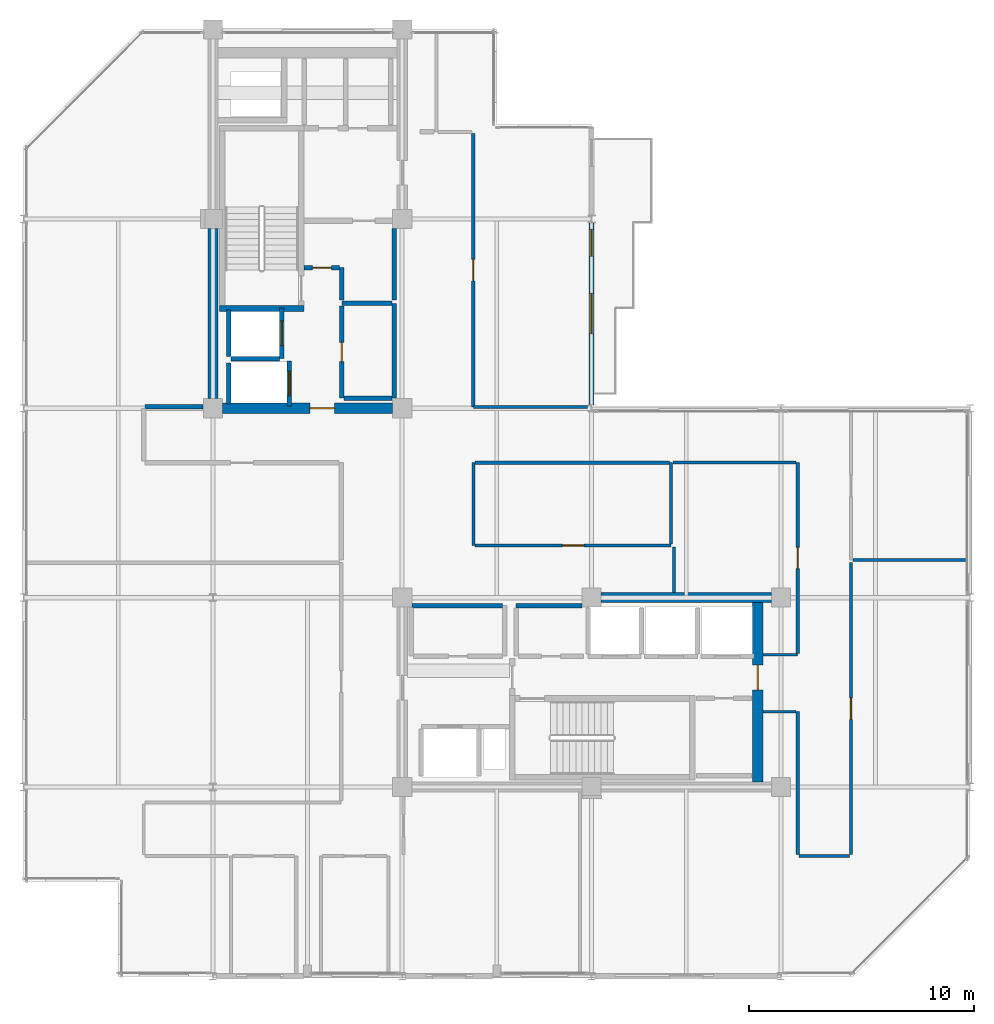
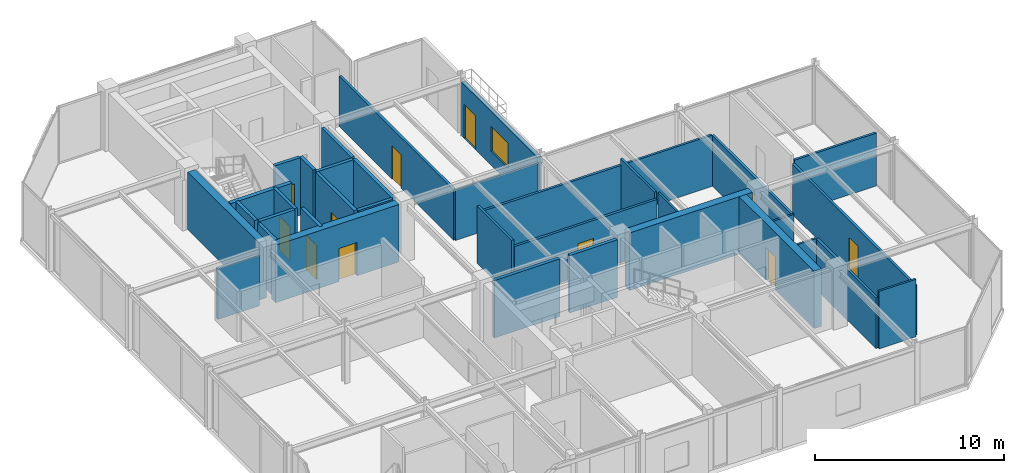
# One storey, part 22 of 26: 36 walls, 11 doors, 1 window, 12 openings.
"""IFC4 building model written with IfcOpenShell, lengths in metres."""

from ifc_helpers import new_model, si_unit, direction, frame, frame_2d, origin, place, context, subcontext, project, spatial, rectangle, extrude, material, layer, layer_set, type_object, element, fill, save


model = new_model("IFC4")

# Units and contexts
model_context = context("Model", 3, precision=1e-05, world=origin(), true_north=direction((0.0, 1.0)))
body_context = subcontext(model_context, "Body", "Model", "MODEL_VIEW")
ifc_project = project(units=[si_unit("LENGTHUNIT", "METRE"), si_unit("AREAUNIT", "SQUARE_METRE"), si_unit("VOLUMEUNIT", "CUBIC_METRE"), si_unit("PLANEANGLEUNIT", "RADIAN"), si_unit("MASSUNIT", "GRAM", prefix="KILO")], contexts=[model_context])

# Site, building, storey
site_placement = place(None, origin())
site = spatial("IfcSite", under=ifc_project, at=site_placement, CompositionType="ELEMENT")
building_placement = place(site_placement, origin())
building = spatial("IfcBuilding", under=site, at=building_placement, Name="Nerrivon Quay Data Exchange", CompositionType="ELEMENT")
storey_placement = place(building_placement, frame((0.0, 0.0, 250.199951171875)))
storey = spatial("IfcBuildingStorey", under=building, at=storey_placement, Name="L59", CompositionType="ELEMENT", Elevation=250.199951171875)

# Wall, openings, door, window
ifc_material_1 = material(Name="Architectural terracotta precast concrete N50 (50 MPa)", Category="masonry")
ifc_layer_1 = layer(ifc_material_1, 0.239990234375)
ifc_layer_set_1 = layer_set([ifc_layer_1], Name="Architectural terracotta precast concrete N50 (50 MPa)")
wall_type_1 = type_object("IfcWallType", Name="EW-PREC-240", PredefinedType="STANDARD", material=ifc_layer_set_1)
wall_1_placement = place(storey_placement, frame((25.199951171875, 33.4365234375, 0.0), z_axis=(0.0, 0.0, 1.0), x_axis=(0.0, -1.0, 0.0)))
wall_1 = element("IfcWall", 1, at=wall_1_placement, inside=storey, type_object=wall_type_1, Name="L59 Terrace Host Wall 23", PredefinedType="STANDARD", context=body_context, shape_type="SweptSolid", body=[
    extrude(rectangle(XDim=8.072998046875, YDim=0.239990234375, at=frame_2d((4.03662109375, 0.0))), origin(), (0.0, 0.0, 1.0), 3.47509765625),
])
opening_1_placement = place(wall_1_placement, frame((0.300048828125, 0.0, 0.0)))
opening_1 = element("IfcOpeningElement", 2, at=opening_1_placement, cuts=wall_1, Name="Opening TD1", PredefinedType="OPENING", context=body_context, shape_type="SweptSolid", body=[
    extrude(rectangle(XDim=1.199951171875, YDim=2.199951171875, at=frame_2d((0.60009765625, 1.10009765625))), frame((0.0, 0.1298828125, 0.0), z_axis=(0.0, -1.0, 0.0), x_axis=(1.0, 0.0, 0.0)), (0.0, 0.0, 1.0), 0.260009765625),
])
opening_2_placement = place(wall_1_placement, frame((3.136474609375, 0.0, 0.89990234375)))
opening_2 = element("IfcOpeningElement", 3, at=opening_2_placement, cuts=wall_1, Name="Opening WN2", PredefinedType="OPENING", context=body_context, shape_type="SweptSolid", body=[
    extrude(rectangle(XDim=1.800048828125, YDim=1.60009765625, at=frame_2d((0.89990234375, 0.800048828125))), frame((0.0, 0.1298828125, 0.0), z_axis=(0.0, -1.0, 0.0), x_axis=(1.0, 0.0, 0.0)), (0.0, 0.0, 1.0), 0.260009765625),
])
ifc_material_2 = material(Name="Double-glazed low-E solar control glass", Category="glass")
door_type_1 = type_object("IfcDoorType", Name="DR-TERR-1200x2200", OperationType="NOTDEFINED", PredefinedType="DOOR", material=ifc_material_2)
door_1_placement = place(opening_1_placement, origin())
door_1 = element("IfcDoor", 4, at=door_1_placement, inside=storey, type_object=door_type_1, Name="L59 Outdoor Terrace Access Door 23", OperationType="SINGLE_SWING_RIGHT", OverallHeight=2.199951171875, OverallWidth=1.199951171875, PredefinedType="DOOR", context=body_context, shape_type="SweptSolid", body=[
    extrude(rectangle(XDim=1.199951171875, YDim=2.199951171875, at=frame_2d((0.60009765625, 1.10009765625))), frame((0.0, 0.02490234375, 0.0), z_axis=(0.0, -1.0, 0.0), x_axis=(1.0, 0.0, 0.0)), (0.0, 0.0, 1.0), 0.050048828125),
])
fill(opening_1, door_1)
window_type = type_object("IfcWindowType", Name="WIN-W2-1800x1600", PartitioningType="SINGLE_PANEL", PredefinedType="WINDOW", material=ifc_material_2)
window_placement = place(opening_2_placement, origin())
window = element("IfcWindow", 5, at=window_placement, inside=storey, type_object=window_type, Name="L59 Terrace Side Window 23", OverallHeight=1.60009765625, OverallWidth=1.800048828125, PartitioningType="SINGLE_PANEL", PredefinedType="WINDOW", context=body_context, shape_type="SweptSolid", body=[
    extrude(rectangle(XDim=1.800048828125, YDim=1.60009765625, at=frame_2d((0.89990234375, 0.800048828125))), frame((0.0, 0.030029296875, 0.0), z_axis=(0.0, -1.0, 0.0), x_axis=(1.0, 0.0, 0.0)), (0.0, 0.0, 1.0), 0.06005859375),
])
fill(opening_2, window)

# Wall
ifc_material_3 = material(Name="Concrete N50 (50 MPa)", Category="concrete")
ifc_layer_2 = layer(ifc_material_3, 0.449951171875)
ifc_layer_set_2 = layer_set([ifc_layer_2], Name="Concrete N50 (50 MPa)")
wall_type_2 = type_object("IfcWallType", Name="WALL-CW-550", PredefinedType="SHEAR", material=ifc_layer_set_2)
wall_2_placement = place(storey_placement, frame((8.39990234375, 25.625, 0.0), z_axis=(0.0, 0.0, 1.0), x_axis=(0.0, 1.0, 0.0)))
element("IfcWall", 6, at=wall_2_placement, inside=storey, type_object=wall_type_2, Name="L59 West Split-Core Shear Wall WCW-W1", PredefinedType="SHEAR", context=body_context, shape_type="SweptSolid", body=[
    extrude(rectangle(XDim=7.550048828125, YDim=0.449951171875, at=frame_2d((3.77490234375, 0.0))), origin(), (0.0, 0.0, 1.0), 3.72509765625),
])

# Wall, opening, door
wall_3_placement = place(storey_placement, frame((8.824951171875, 25.199951171875, 0.0), z_axis=(0.0, 0.0, 1.0), x_axis=(1.0, 0.0, 0.0)))
wall_3 = element("IfcWall", 7, at=wall_3_placement, inside=storey, type_object=wall_type_2, Name="L59 West Split-Core Shear Wall WCW-S1", PredefinedType="SHEAR", context=body_context, shape_type="SweptSolid", body=[
    extrude(rectangle(XDim=7.550048828125, YDim=0.449951171875, at=frame_2d((3.77490234375, 0.0))), origin(), (0.0, 0.0, 1.0), 3.72509765625),
])
opening_3_placement = place(wall_3_placement, frame((3.875, 0.0, 0.0)))
opening_3 = element("IfcOpeningElement", 8, at=opening_3_placement, cuts=wall_3, Name="Opening FD-120", PredefinedType="OPENING", context=body_context, shape_type="SweptSolid", body=[
    extrude(rectangle(XDim=1.10009765625, YDim=2.14990234375, at=frame_2d((0.550048828125, 1.074951171875))), frame((0.0, 0.23486328125, 0.0), z_axis=(0.0, -1.0, 0.0), x_axis=(1.0, 0.0, 0.0)), (0.0, 0.0, 1.0), 0.469970703125),
])
ifc_material_4 = material(Name="Powder-coated galvanized steel sheet", Category="steel")
door_type_2 = type_object("IfcDoorType", Name="DR-FD120-1100", OperationType="NOTDEFINED", PredefinedType="DOOR", material=ifc_material_4)
door_2_placement = place(opening_3_placement, origin())
door_2 = element("IfcDoor", 9, at=door_2_placement, inside=storey, type_object=door_type_2, Name="L59 West Core Lobby Fire Door", OperationType="SINGLE_SWING_LEFT", OverallHeight=2.14990234375, OverallWidth=1.10009765625, PredefinedType="DOOR", context=body_context, shape_type="SweptSolid", body=[
    extrude(rectangle(XDim=1.10009765625, YDim=2.14990234375, at=frame_2d((0.550048828125, 1.074951171875))), frame((0.0, 0.02490234375, 0.0), z_axis=(0.0, -1.0, 0.0), x_axis=(1.0, 0.0, 0.0)), (0.0, 0.0, 1.0), 0.050048828125),
])
fill(opening_3, door_2)

wall_4_placement = place(storey_placement, frame((32.574951171875, 8.625, 0.0), z_axis=(0.0, 0.0, 1.0), x_axis=(0.0, 1.0, 0.0)))
wall_4 = element("IfcWall", 10, at=wall_4_placement, inside=storey, type_object=wall_type_2, Name="L59 East Split-Core Shear Wall ECW-E1", PredefinedType="SHEAR", context=body_context, shape_type="SweptSolid", body=[
    extrude(rectangle(XDim=7.949951171875, YDim=0.449951171875, at=frame_2d((3.97509765625, 0.0))), origin(), (0.0, 0.0, 1.0), 3.72509765625),
])
opening_4_placement = place(wall_4_placement, frame((4.074951171875, 0.0, 0.0)))
opening_4 = element("IfcOpeningElement", 11, at=opening_4_placement, cuts=wall_4, Name="Opening FD-120", PredefinedType="OPENING", context=body_context, shape_type="SweptSolid", body=[
    extrude(rectangle(XDim=1.10009765625, YDim=2.14990234375, at=frame_2d((0.550048828125, 1.074951171875))), frame((0.0, 0.23486328125, 0.0), z_axis=(0.0, -1.0, 0.0), x_axis=(1.0, 0.0, 0.0)), (0.0, 0.0, 1.0), 0.469970703125),
])
door_3_placement = place(opening_4_placement, origin())
door_3 = element("IfcDoor", 12, at=door_3_placement, inside=storey, type_object=door_type_2, Name="L59 East Core Lobby Fire Door", OperationType="SINGLE_SWING_RIGHT", OverallHeight=2.14990234375, OverallWidth=1.10009765625, PredefinedType="DOOR", context=body_context, shape_type="SweptSolid", body=[
    extrude(rectangle(XDim=1.10009765625, YDim=2.14990234375, at=frame_2d((0.550048828125, 1.074951171875))), frame((0.0, 0.02490234375, 0.0), z_axis=(0.0, -1.0, 0.0), x_axis=(1.0, 0.0, 0.0)), (0.0, 0.0, 1.0), 0.050048828125),
])
fill(opening_4, door_3)

# Wall
wall_5_placement = place(storey_placement, frame((25.625, 16.800048828125, 0.0), z_axis=(0.0, 0.0, 1.0), x_axis=(1.0, 0.0, 0.0)))
element("IfcWall", 13, at=wall_5_placement, inside=storey, type_object=wall_type_2, Name="L59 East Split-Core Shear Wall ECW-N1", PredefinedType="SHEAR", context=body_context, shape_type="SweptSolid", body=[
    extrude(rectangle(XDim=7.550048828125, YDim=0.449951171875, at=frame_2d((3.77490234375, 0.0))), origin(), (0.0, 0.0, 1.0), 3.72509765625),
])

# Wall, opening, door
ifc_material_5 = material(Name="Gypsum plasterboard on cold-formed framing", Category="gypsum")
ifc_layer_3 = layer(ifc_material_5, 0.199951171875)
ifc_layer_set_3 = layer_set([ifc_layer_3], Name="Gypsum plasterboard on cold-formed framing")
wall_type_3 = type_object("IfcWallType", Name="WALL-FW-200", PredefinedType="PARTITIONING", material=ifc_layer_set_3)
wall_6_placement = place(storey_placement, frame((11.449951171875, 27.39990234375, 0.0), z_axis=(0.0, 0.0, 1.0), x_axis=(0.0, 1.0, 0.0)))
wall_6 = element("IfcWall", 14, at=wall_6_placement, inside=storey, type_object=wall_type_3, Name="L59 Lift Front Wall FFL-1", PredefinedType="PARTITIONING", context=body_context, shape_type="SweptSolid", body=[
    extrude(rectangle(XDim=2.25, YDim=0.199951171875, at=frame_2d((1.125, 0.0))), origin(), (0.0, 0.0, 1.0), 3.72509765625),
])
opening_5_placement = place(wall_6_placement, frame((0.574951171875, 0.0, 0.0)))
opening_5 = element("IfcOpeningElement", 15, at=opening_5_placement, cuts=wall_6, Name="Opening LD-120", PredefinedType="OPENING", context=body_context, shape_type="SweptSolid", body=[
    extrude(rectangle(XDim=1.10009765625, YDim=2.199951171875, at=frame_2d((0.550048828125, 1.10009765625))), frame((0.0, 0.10986328125, 0.0), z_axis=(0.0, -1.0, 0.0), x_axis=(1.0, 0.0, 0.0)), (0.0, 0.0, 1.0), 0.219970703125),
])
door_type_3 = type_object("IfcDoorType", Name="DR-LIFT-LD120", OperationType="DOUBLE_DOOR_SLIDING", PredefinedType="DOOR", material=ifc_material_4)
door_4_placement = place(opening_5_placement, origin())
door_4 = element("IfcDoor", 16, at=door_4_placement, inside=storey, type_object=door_type_3, Name="L59 Lift Landing Sliding Door FFL-1", OperationType="DOUBLE_DOOR_SLIDING", OverallHeight=2.199951171875, OverallWidth=1.10009765625, PredefinedType="DOOR", context=body_context, shape_type="SweptSolid", body=[
    extrude(rectangle(XDim=1.10009765625, YDim=2.199951171875, at=frame_2d((0.550048828125, 1.10009765625))), frame((0.0, 0.02490234375, 0.0), z_axis=(0.0, -1.0, 0.0), x_axis=(1.0, 0.0, 0.0)), (0.0, 0.0, 1.0), 0.050048828125),
])
fill(opening_5, door_4)

# Walls
wall_7_placement = place(storey_placement, frame((9.10009765625, 27.5, 0.0), z_axis=(0.0, 0.0, 1.0), x_axis=(0.0, 1.0, 0.0)))
element("IfcWall", 17, at=wall_7_placement, inside=storey, type_object=wall_type_3, Name="L59 Lift Shaft Wall FFL-1 WEST", PredefinedType="PARTITIONING", context=body_context, shape_type="SweptSolid", body=[
    extrude(rectangle(XDim=2.050048828125, YDim=0.199951171875, at=frame_2d((1.02490234375, 0.0))), origin(), (0.0, 0.0, 1.0), 3.72509765625),
])
wall_8_placement = place(storey_placement, frame((9.199951171875, 27.39990234375, 0.0), z_axis=(0.0, 0.0, 1.0), x_axis=(1.0, 0.0, 0.0)))
element("IfcWall", 18, at=wall_8_placement, inside=storey, type_object=wall_type_3, Name="L59 Lift Shaft Wall FFL-1 SOUTH", PredefinedType="PARTITIONING", context=body_context, shape_type="SweptSolid", body=[
    extrude(rectangle(XDim=2.150146484375, YDim=0.199951171875, at=frame_2d((1.0751953125, 0.0))), origin(), (0.0, 0.0, 1.0), 3.72509765625),
])

# Wall, opening, door
wall_9_placement = place(storey_placement, frame((11.800048828125, 25.300048828125, 0.0), z_axis=(0.0, 0.0, 1.0), x_axis=(0.0, 1.0, 0.0)))
wall_9 = element("IfcWall", 19, at=wall_9_placement, inside=storey, type_object=wall_type_3, Name="L59 Lift Front Wall SVL-1", PredefinedType="PARTITIONING", context=body_context, shape_type="SweptSolid", body=[
    extrude(rectangle(XDim=2.0, YDim=0.199951171875, at=frame_2d((1.0, 0.0))), origin(), (0.0, 0.0, 1.0), 3.72509765625),
])
opening_6_placement = place(wall_9_placement, frame((0.449951171875, 0.0, 0.0)))
opening_6 = element("IfcOpeningElement", 20, at=opening_6_placement, cuts=wall_9, Name="Opening LD-120", PredefinedType="OPENING", context=body_context, shape_type="SweptSolid", body=[
    extrude(rectangle(XDim=1.10009765625, YDim=2.199951171875, at=frame_2d((0.550048828125, 1.10009765625))), frame((0.0, 0.10986328125, 0.0), z_axis=(0.0, -1.0, 0.0), x_axis=(1.0, 0.0, 0.0)), (0.0, 0.0, 1.0), 0.219970703125),
])
door_5_placement = place(opening_6_placement, origin())
door_5 = element("IfcDoor", 21, at=door_5_placement, inside=storey, type_object=door_type_3, Name="L59 Lift Landing Sliding Door SVL-1", OperationType="DOUBLE_DOOR_SLIDING", OverallHeight=2.199951171875, OverallWidth=1.10009765625, PredefinedType="DOOR", context=body_context, shape_type="SweptSolid", body=[
    extrude(rectangle(XDim=1.10009765625, YDim=2.199951171875, at=frame_2d((0.550048828125, 1.10009765625))), frame((0.0, 0.02490234375, 0.0), z_axis=(0.0, -1.0, 0.0), x_axis=(1.0, 0.0, 0.0)), (0.0, 0.0, 1.0), 0.050048828125),
])
fill(opening_6, door_5)

# Walls
wall_10_placement = place(storey_placement, frame((9.10009765625, 25.39990234375, 0.0), z_axis=(0.0, 0.0, 1.0), x_axis=(0.0, 1.0, 0.0)))
element("IfcWall", 22, at=wall_10_placement, inside=storey, type_object=wall_type_3, Name="L59 Lift Shaft Wall SVL-1 WEST", PredefinedType="PARTITIONING", context=body_context, shape_type="SweptSolid", body=[
    extrude(rectangle(XDim=1.800048828125, YDim=0.199951171875, at=frame_2d((0.89990234375, 0.0))), origin(), (0.0, 0.0, 1.0), 3.72509765625),
])
wall_11_placement = place(storey_placement, frame((16.449951171875, 25.64990234375, 0.0), z_axis=(0.0, 0.0, 1.0), x_axis=(0.0, 1.0, 0.0)))
element("IfcWall", 23, at=wall_11_placement, inside=storey, type_object=wall_type_3, Name="L59 Partition Telemetry Hub Closet", PredefinedType="PARTITIONING", context=body_context, shape_type="SweptSolid", body=[
    extrude(rectangle(XDim=4.2001953125, YDim=0.199951171875, at=frame_2d((2.10009765625, 0.0))), origin(), (0.0, 0.0, 1.0), 3.72509765625),
])
wall_12_placement = place(storey_placement, frame((16.345947265625, 29.85009765625, 0.0), z_axis=(0.0, 0.0, 1.0), x_axis=(-1.0, 0.0, 0.0)))
element("IfcWall", 24, at=wall_12_placement, inside=storey, type_object=wall_type_3, Name="L59 Partition Telemetry Hub Closet", PredefinedType="PARTITIONING", context=body_context, shape_type="SweptSolid", body=[
    extrude(rectangle(XDim=2.225830078125, YDim=0.199951171875, at=frame_2d((1.11279296875, 0.0))), origin(), (0.0, 0.0, 1.0), 3.72509765625),
])

# Wall, opening, door
wall_13_placement = place(storey_placement, frame((14.1201171875, 29.74609375, 0.0), z_axis=(0.0, 0.0, 1.0), x_axis=(0.0, -1.0, 0.0)))
wall_13 = element("IfcWall", 25, at=wall_13_placement, inside=storey, type_object=wall_type_3, Name="L59 Partition Telemetry Hub Closet", PredefinedType="PARTITIONING", context=body_context, shape_type="SweptSolid", body=[
    extrude(rectangle(XDim=4.09619140625, YDim=0.199951171875, at=frame_2d((2.048095703125, 0.0))), origin(), (0.0, 0.0, 1.0), 3.72509765625),
])
opening_7_placement = place(wall_13_placement, frame((1.623046875, 0.0, 0.0)))
opening_7 = element("IfcOpeningElement", 26, at=opening_7_placement, cuts=wall_13, Name="Opening FD-60S", PredefinedType="OPENING", context=body_context, shape_type="SweptSolid", body=[
    extrude(rectangle(XDim=0.85009765625, YDim=2.14990234375, at=frame_2d((0.425048828125, 1.074951171875))), frame((0.0, 0.10986328125, 0.0), z_axis=(0.0, -1.0, 0.0), x_axis=(1.0, 0.0, 0.0)), (0.0, 0.0, 1.0), 0.219970703125),
])
ifc_material_6 = material(Name="Engineered hardwood timber", Category="wood")
door_type_4 = type_object("IfcDoorType", Name="DR-FD60-850", OperationType="NOTDEFINED", PredefinedType="DOOR", material=ifc_material_6)
door_6_placement = place(opening_7_placement, origin())
door_6 = element("IfcDoor", 27, at=door_6_placement, inside=storey, type_object=door_type_4, Name="L59 Door Telemetry Hub Closet", OperationType="SINGLE_SWING_RIGHT", OverallHeight=2.14990234375, OverallWidth=0.85009765625, PredefinedType="DOOR", context=body_context, shape_type="SweptSolid", body=[
    extrude(rectangle(XDim=0.85009765625, YDim=2.14990234375, at=frame_2d((0.425048828125, 1.074951171875))), frame((0.0, 0.02490234375, 0.0), z_axis=(0.0, -1.0, 0.0), x_axis=(1.0, 0.0, 0.0)), (0.0, 0.0, 1.0), 0.050048828125),
])
fill(opening_7, door_6)

# Walls
wall_14_placement = place(storey_placement, frame((14.22412109375, 25.64990234375, 0.0), z_axis=(0.0, 0.0, 1.0), x_axis=(1.0, 0.0, 0.0)))
element("IfcWall", 28, at=wall_14_placement, inside=storey, type_object=wall_type_3, Name="L59 Partition Telemetry Hub Closet", PredefinedType="PARTITIONING", context=body_context, shape_type="SweptSolid", body=[
    extrude(rectangle(XDim=2.121826171875, YDim=0.199951171875, at=frame_2d((1.06103515625, 0.0))), origin(), (0.0, 0.0, 1.0), 3.72509765625),
])
wall_15_placement = place(storey_placement, frame((14.1201171875, 31.43994140625, 0.0), z_axis=(0.0, 0.0, 1.0), x_axis=(0.0, -1.0, 0.0)))
element("IfcWall", 29, at=wall_15_placement, inside=storey, type_object=wall_type_3, Name="L59 Partition Core Equipment Store", PredefinedType="PARTITIONING", context=body_context, shape_type="SweptSolid", body=[
    extrude(rectangle(XDim=1.43994140625, YDim=0.199951171875, at=frame_2d((0.719970703125, 0.0))), origin(), (0.0, 0.0, 1.0), 3.72509765625),
])
wall_16_placement = place(storey_placement, frame((16.449951171875, 30.0, 0.0), z_axis=(0.0, 0.0, 1.0), x_axis=(0.0, 1.0, 0.0)))
element("IfcWall", 30, at=wall_16_placement, inside=storey, type_object=wall_type_3, Name="L59 Partition Core Equipment Store", PredefinedType="PARTITIONING", context=body_context, shape_type="SweptSolid", body=[
    extrude(rectangle(XDim=3.169921875, YDim=0.199951171875, at=frame_2d((1.5849609375, 0.0))), origin(), (0.0, 0.0, 1.0), 3.72509765625),
])

# Wall, opening, door
wall_17_placement = place(storey_placement, frame((12.4541015625, 31.43994140625, 0.0), z_axis=(0.0, 0.0, 1.0), x_axis=(1.0, 0.0, 0.0)))
wall_17 = element("IfcWall", 31, at=wall_17_placement, inside=storey, type_object=wall_type_3, Name="L59 Partition Core Equipment Store", PredefinedType="PARTITIONING", context=body_context, shape_type="SweptSolid", body=[
    extrude(rectangle(XDim=1.56201171875, YDim=0.199951171875, at=frame_2d((0.781005859375, 0.0))), origin(), (0.0, 0.0, 1.0), 3.72509765625),
])
opening_8_placement = place(wall_17_placement, frame((0.35595703125, 0.0, 0.0)))
opening_8 = element("IfcOpeningElement", 32, at=opening_8_placement, cuts=wall_17, Name="Opening FD-60S", PredefinedType="OPENING", context=body_context, shape_type="SweptSolid", body=[
    extrude(rectangle(XDim=0.85009765625, YDim=2.14990234375, at=frame_2d((0.425048828125, 1.074951171875))), frame((0.0, 0.10986328125, 0.0), z_axis=(0.0, -1.0, 0.0), x_axis=(1.0, 0.0, 0.0)), (0.0, 0.0, 1.0), 0.219970703125),
])
door_7_placement = place(opening_8_placement, origin())
door_7 = element("IfcDoor", 33, at=door_7_placement, inside=storey, type_object=door_type_4, Name="L59 Door Core Equipment Store", OperationType="SINGLE_SWING_LEFT", OverallHeight=2.14990234375, OverallWidth=0.85009765625, PredefinedType="DOOR", context=body_context, shape_type="SweptSolid", body=[
    extrude(rectangle(XDim=0.85009765625, YDim=2.14990234375, at=frame_2d((0.425048828125, 1.074951171875))), frame((0.0, 0.02490234375, 0.0), z_axis=(0.0, -1.0, 0.0), x_axis=(1.0, 0.0, 0.0)), (0.0, 0.0, 1.0), 0.050048828125),
])
fill(opening_8, door_7)

# Walls
wall_18_placement = place(storey_placement, frame((21.24609375, 16.449951171875, 0.0), z_axis=(0.0, 0.0, 1.0), x_axis=(-1.0, 0.0, 0.0)))
element("IfcWall", 34, at=wall_18_placement, inside=storey, type_object=wall_type_3, Name="L59 Partition High-Zone Optical Closet", PredefinedType="PARTITIONING", context=body_context, shape_type="SweptSolid", body=[
    extrude(rectangle(XDim=4.01611328125, YDim=0.199951171875, at=frame_2d((2.008056640625, 0.0))), origin(), (0.0, 0.0, 1.0), 3.72509765625),
])
wall_19_placement = place(storey_placement, frame((24.77001953125, 16.449951171875, 0.0), z_axis=(0.0, 0.0, 1.0), x_axis=(-1.0, 0.0, 0.0)))
element("IfcWall", 35, at=wall_19_placement, inside=storey, type_object=wall_type_3, Name="L59 Partition High-Zone Supply Store", PredefinedType="PARTITIONING", context=body_context, shape_type="SweptSolid", body=[
    extrude(rectangle(XDim=2.919921875, YDim=0.199951171875, at=frame_2d((1.4599609375, 0.0))), origin(), (0.0, 0.0, 1.0), 3.72509765625),
])
wall_20_placement = place(storey_placement, frame((5.39990234375, 25.260009765625, 0.0), z_axis=(0.0, 0.0, 1.0), x_axis=(1.0, 0.0, 0.0)))
element("IfcWall", 36, at=wall_20_placement, inside=storey, type_object=wall_type_3, Name="L59 Partition Colocation Data Workspace 1", PredefinedType="PARTITIONING", context=body_context, shape_type="SweptSolid", body=[
    extrude(rectangle(XDim=2.55517578125, YDim=0.199951171875, at=frame_2d((1.277587890625, 0.0))), origin(), (0.0, 0.0, 1.0), 3.27099609375),
])
ifc_layer_4 = layer(ifc_material_5, 0.1201171875)
ifc_layer_set_4 = layer_set([ifc_layer_4], Name="Gypsum plasterboard on cold-formed framing")
wall_type_4 = type_object("IfcWallType", Name="WALL-PT-120", PredefinedType="PARTITIONING", material=ifc_layer_set_4)
wall_21_placement = place(storey_placement, frame((28.860107421875, 19.050048828125, 0.0), z_axis=(0.0, 0.0, 1.0), x_axis=(0.0, -1.0, 0.0)))
element("IfcWall", 37, at=wall_21_placement, inside=storey, type_object=wall_type_4, Name="L59 Partition Shared Breakout Kitchenette", PredefinedType="PARTITIONING", context=body_context, shape_type="SweptSolid", body=[
    extrude(rectangle(XDim=2.02099609375, YDim=0.1201171875, at=frame_2d((1.010498046875, 0.0))), origin(), (0.0, 0.0, 1.0), 3.72509765625),
])
wall_22_placement = place(storey_placement, frame((32.803955078125, 14.260009765625, 0.0), z_axis=(0.0, 0.0, 1.0), x_axis=(1.0, 0.0, 0.0)))
element("IfcWall", 38, at=wall_22_placement, inside=storey, type_object=wall_type_4, Name="L59 Partition Shared Breakout Kitchenette", PredefinedType="PARTITIONING", context=body_context, shape_type="SweptSolid", body=[
    extrude(rectangle(XDim=1.5361328125, YDim=0.1201171875, at=frame_2d((0.76806640625, 0.0))), origin(), (0.0, 0.0, 1.0), 3.319091796875),
])
wall_23_placement = place(storey_placement, frame((36.64990234375, 5.340087890625, 0.0), z_axis=(0.0, 0.0, 1.0), x_axis=(-1.0, 0.0, 0.0)))
element("IfcWall", 39, at=wall_23_placement, inside=storey, type_object=wall_type_4, Name="L59 Partition Peering Day Lounge", PredefinedType="PARTITIONING", context=body_context, shape_type="SweptSolid", body=[
    extrude(rectangle(XDim=2.25, YDim=0.1201171875, at=frame_2d((1.125, 0.0))), origin(), (0.0, 0.0, 1.0), 3.72509765625),
])
wall_24_placement = place(storey_placement, frame((34.260986328125, 11.739990234375, 0.0), z_axis=(0.0, 0.0, 1.0), x_axis=(-1.0, 0.0, 0.0)))
element("IfcWall", 40, at=wall_24_placement, inside=storey, type_object=wall_type_4, Name="L59 Partition Peering Day Lounge", PredefinedType="PARTITIONING", context=body_context, shape_type="SweptSolid", body=[
    extrude(rectangle(XDim=1.45703125, YDim=0.1201171875, at=frame_2d((0.728515625, 0.0))), origin(), (0.0, 0.0, 1.0), 3.319091796875),
])
ifc_layer_5 = layer(ifc_material_5, 0.135009765625)
ifc_layer_set_5 = layer_set([ifc_layer_5], Name="Gypsum plasterboard on cold-formed framing")
wall_type_5 = type_object("IfcWallType", Name="WALL-PT-135", PredefinedType="PARTITIONING", material=ifc_layer_set_5)
wall_25_placement = place(storey_placement, frame((19.9599609375, 22.7900390625, 0.0), z_axis=(0.0, 0.0, 1.0), x_axis=(0.0, -1.0, 0.0)))
element("IfcWall", 41, at=wall_25_placement, inside=storey, type_object=wall_type_5, Name="L59 Partition Staff Pantry", PredefinedType="PARTITIONING", context=body_context, shape_type="SweptSolid", body=[
    extrude(rectangle(XDim=3.679931640625, YDim=0.135009765625, at=frame_2d((1.83984375, 0.0))), origin(), (0.0, 0.0, 1.0), 3.72509765625),
])
wall_26_placement = place(storey_placement, frame((28.731689453125, 19.18896484375, 0.0), z_axis=(0.0, 0.0, 1.0), x_axis=(0.0, 1.0, 0.0)))
element("IfcWall", 42, at=wall_26_placement, inside=storey, type_object=wall_type_5, Name="L59 Partition Staff Pantry", PredefinedType="PARTITIONING", context=body_context, shape_type="SweptSolid", body=[
    extrude(rectangle(XDim=3.60107421875, YDim=0.135009765625, at=frame_2d((1.800537109375, 0.0))), origin(), (0.0, 0.0, 1.0), 3.72509765625),
])
wall_27_placement = place(storey_placement, frame((34.260986328125, 22.7900390625, 0.0), z_axis=(0.0, 0.0, 1.0), x_axis=(-1.0, 0.0, 0.0)))
element("IfcWall", 43, at=wall_27_placement, inside=storey, type_object=wall_type_5, Name="L59 Partition Shared Breakout Kitchenette", PredefinedType="PARTITIONING", context=body_context, shape_type="SweptSolid", body=[
    extrude(rectangle(XDim=5.457763671875, YDim=0.135009765625, at=frame_2d((2.72900390625, 0.0))), origin(), (0.0, 0.0, 1.0), 3.319091796875),
])
wall_28_placement = place(storey_placement, frame((36.7890625, 18.474853515625, 0.0), z_axis=(0.0, 0.0, 1.0), x_axis=(1.0, 0.0, 0.0)))
element("IfcWall", 44, at=wall_28_placement, inside=storey, type_object=wall_type_5, Name="L59 Partition Engineers Lounge", PredefinedType="PARTITIONING", context=body_context, shape_type="SweptSolid", body=[
    extrude(rectangle(XDim=5.0419921875, YDim=0.135009765625, at=frame_2d((2.52099609375, 0.0))), origin(), (0.0, 0.0, 1.0), 3.421142578125),
])
wall_29_placement = place(storey_placement, frame((19.9599609375, 25.260009765625, 0.0), z_axis=(0.0, 0.0, 1.0), x_axis=(0.999999995352, -9.641342e-05, 0.0)))
element("IfcWall", 45, at=wall_29_placement, inside=storey, type_object=wall_type_5, Name="L59 Partition Engineers Lounge", PredefinedType="PARTITIONING", context=body_context, shape_type="SweptSolid", body=[
    extrude(rectangle(XDim=5.064453125, YDim=0.135009765625, at=frame_2d((2.5322265625, 0.0))), origin(), (0.0, 0.0, 1.0), 3.27099609375),
])

# Wall, opening, door
ifc_layer_6 = layer(ifc_material_5, 0.14990234375)
ifc_layer_set_6 = layer_set([ifc_layer_6], Name="Gypsum plasterboard on cold-formed framing")
wall_type_6 = type_object("IfcWallType", Name="WALL-PT-150", PredefinedType="PARTITIONING", material=ifc_layer_set_6)
wall_30_placement = place(storey_placement, frame((20.031494140625, 19.110107421875, 0.0), z_axis=(0.0, 0.0, 1.0), x_axis=(1.0, 0.0, 0.0)))
wall_30 = element("IfcWall", 46, at=wall_30_placement, inside=storey, type_object=wall_type_6, Name="L59 Partition Staff Pantry", PredefinedType="PARTITIONING", context=body_context, shape_type="SweptSolid", body=[
    extrude(rectangle(XDim=8.7001953125, YDim=0.14990234375, at=frame_2d((4.35009765625, 0.0))), origin(), (0.0, 0.0, 1.0), 3.319091796875),
])
opening_9_placement = place(wall_30_placement, frame((3.875, 0.0, 0.0)))
opening_9 = element("IfcOpeningElement", 47, at=opening_9_placement, cuts=wall_30, Name="Opening D-01", PredefinedType="OPENING", context=body_context, shape_type="SweptSolid", body=[
    extrude(rectangle(XDim=0.949951171875, YDim=2.14990234375, at=frame_2d((0.47509765625, 1.074951171875))), frame((0.0, 0.0849609375, 0.0), z_axis=(0.0, -1.0, 0.0), x_axis=(1.0, 0.0, 0.0)), (0.0, 0.0, 1.0), 0.169921875),
])
door_type_5 = type_object("IfcDoorType", Name="DR-INT-950", OperationType="NOTDEFINED", PredefinedType="DOOR", material=ifc_material_6)
door_8_placement = place(opening_9_placement, origin())
door_8 = element("IfcDoor", 48, at=door_8_placement, inside=storey, type_object=door_type_5, Name="L59 Door Staff Pantry", OperationType="SINGLE_SWING_LEFT", OverallHeight=2.14990234375, OverallWidth=0.949951171875, PredefinedType="DOOR", context=body_context, shape_type="SweptSolid", body=[
    extrude(rectangle(XDim=0.949951171875, YDim=2.14990234375, at=frame_2d((0.47509765625, 1.074951171875))), frame((0.0, 0.02490234375, 0.0), z_axis=(0.0, -1.0, 0.0), x_axis=(1.0, 0.0, 0.0)), (0.0, 0.0, 1.0), 0.050048828125),
])
fill(opening_9, door_8)

# Wall
wall_31_placement = place(storey_placement, frame((28.660400390625, 22.7900390625, 0.0), z_axis=(0.0, 0.0, 1.0), x_axis=(-1.0, 0.0, 0.0)))
element("IfcWall", 49, at=wall_31_placement, inside=storey, type_object=wall_type_6, Name="L59 Partition Staff Pantry", PredefinedType="PARTITIONING", context=body_context, shape_type="SweptSolid", body=[
    extrude(rectangle(XDim=8.62890625, YDim=0.14990234375, at=frame_2d((4.314453125, 0.0))), origin(), (0.0, 0.0, 1.0), 3.319091796875),
])

# Wall, opening, door
wall_32_placement = place(storey_placement, frame((34.340087890625, 14.323974609375, 0.0), z_axis=(0.0, 0.0, 1.0), x_axis=(0.0, 1.0, 0.0)))
wall_32 = element("IfcWall", 50, at=wall_32_placement, inside=storey, type_object=wall_type_6, Name="L59 Partition Shared Breakout Kitchenette", PredefinedType="PARTITIONING", context=body_context, shape_type="SweptSolid", body=[
    extrude(rectangle(XDim=8.466064453125, YDim=0.14990234375, at=frame_2d((4.23291015625, 0.0))), origin(), (0.0, 0.0, 1.0), 3.27099609375),
])
opening_10_placement = place(wall_32_placement, frame((3.758056640625, 0.0, 0.0)))
opening_10 = element("IfcOpeningElement", 51, at=opening_10_placement, cuts=wall_32, Name="Opening D-01", PredefinedType="OPENING", context=body_context, shape_type="SweptSolid", body=[
    extrude(rectangle(XDim=0.949951171875, YDim=2.14990234375, at=frame_2d((0.47509765625, 1.074951171875))), frame((0.0, 0.0849609375, 0.0), z_axis=(0.0, -1.0, 0.0), x_axis=(1.0, 0.0, 0.0)), (0.0, 0.0, 1.0), 0.169921875),
])
door_9_placement = place(opening_10_placement, origin())
door_9 = element("IfcDoor", 52, at=door_9_placement, inside=storey, type_object=door_type_5, Name="L59 Door Shared Breakout Kitchenette", OperationType="SINGLE_SWING_RIGHT", OverallHeight=2.14990234375, OverallWidth=0.949951171875, PredefinedType="DOOR", context=body_context, shape_type="SweptSolid", body=[
    extrude(rectangle(XDim=0.949951171875, YDim=2.14990234375, at=frame_2d((0.47509765625, 1.074951171875))), frame((0.0, 0.02490234375, 0.0), z_axis=(0.0, -1.0, 0.0), x_axis=(1.0, 0.0, 0.0)), (0.0, 0.0, 1.0), 0.050048828125),
])
fill(opening_10, door_9)

wall_33_placement = place(storey_placement, frame((19.9599609375, 37.39990234375, 0.0), z_axis=(0.0, 0.0, 1.0), x_axis=(0.0, -1.0, 0.0)))
wall_33 = element("IfcWall", 53, at=wall_33_placement, inside=storey, type_object=wall_type_6, Name="L59 Partition Engineers Lounge", PredefinedType="PARTITIONING", context=body_context, shape_type="SweptSolid", body=[
    extrude(rectangle(XDim=12.139892578125, YDim=0.14990234375, at=frame_2d((6.06982421875, 0.0))), origin(), (0.0, 0.0, 1.0), 3.27099609375),
])
opening_11_placement = place(wall_33_placement, frame((5.594970703125, 0.0, 0.0)))
opening_11 = element("IfcOpeningElement", 54, at=opening_11_placement, cuts=wall_33, Name="Opening D-01", PredefinedType="OPENING", context=body_context, shape_type="SweptSolid", body=[
    extrude(rectangle(XDim=0.949951171875, YDim=2.14990234375, at=frame_2d((0.47509765625, 1.074951171875))), frame((0.0, 0.0849609375, 0.0), z_axis=(0.0, -1.0, 0.0), x_axis=(1.0, 0.0, 0.0)), (0.0, 0.0, 1.0), 0.169921875),
])
door_10_placement = place(opening_11_placement, origin())
door_10 = element("IfcDoor", 55, at=door_10_placement, inside=storey, type_object=door_type_5, Name="L59 Door Engineers Lounge", OperationType="SINGLE_SWING_LEFT", OverallHeight=2.14990234375, OverallWidth=0.949951171875, PredefinedType="DOOR", context=body_context, shape_type="SweptSolid", body=[
    extrude(rectangle(XDim=0.949951171875, YDim=2.14990234375, at=frame_2d((0.47509765625, 1.074951171875))), frame((0.0, 0.02490234375, 0.0), z_axis=(0.0, -1.0, 0.0), x_axis=(1.0, 0.0, 0.0)), (0.0, 0.0, 1.0), 0.050048828125),
])
fill(opening_11, door_10)

wall_34_placement = place(storey_placement, frame((36.7099609375, 18.354736328125, 0.0), z_axis=(0.0, 0.0, 1.0), x_axis=(0.0, -1.0, 0.0)))
wall_34 = element("IfcWall", 56, at=wall_34_placement, inside=storey, type_object=wall_type_6, Name="L59 Partition Peering Day Lounge", PredefinedType="PARTITIONING", context=body_context, shape_type="SweptSolid", body=[
    extrude(rectangle(XDim=12.954833984375, YDim=0.14990234375, at=frame_2d((6.4775390625, 0.0))), origin(), (0.0, 0.0, 1.0), 3.27099609375),
])
opening_12_placement = place(wall_34_placement, frame((6.00244140625, 0.0, 0.0)))
opening_12 = element("IfcOpeningElement", 57, at=opening_12_placement, cuts=wall_34, Name="Opening D-01", PredefinedType="OPENING", context=body_context, shape_type="SweptSolid", body=[
    extrude(rectangle(XDim=0.949951171875, YDim=2.14990234375, at=frame_2d((0.47509765625, 1.074951171875))), frame((0.0, 0.0849609375, 0.0), z_axis=(0.0, -1.0, 0.0), x_axis=(1.0, 0.0, 0.0)), (0.0, 0.0, 1.0), 0.169921875),
])
door_11_placement = place(opening_12_placement, origin())
door_11 = element("IfcDoor", 58, at=door_11_placement, inside=storey, type_object=door_type_5, Name="L59 Door Peering Day Lounge", OperationType="SINGLE_SWING_RIGHT", OverallHeight=2.14990234375, OverallWidth=0.949951171875, PredefinedType="DOOR", context=body_context, shape_type="SweptSolid", body=[
    extrude(rectangle(XDim=0.949951171875, YDim=2.14990234375, at=frame_2d((0.47509765625, 1.074951171875))), frame((0.0, 0.02490234375, 0.0), z_axis=(0.0, -1.0, 0.0), x_axis=(1.0, 0.0, 0.0)), (0.0, 0.0, 1.0), 0.050048828125),
])
fill(opening_12, door_11)

# Walls
wall_35_placement = place(storey_placement, frame((34.340087890625, 5.39990234375, 0.0), z_axis=(0.0, 0.0, 1.0), x_axis=(0.0, 1.0, 0.0)))
element("IfcWall", 59, at=wall_35_placement, inside=storey, type_object=wall_type_6, Name="L59 Partition Peering Day Lounge", PredefinedType="PARTITIONING", context=body_context, shape_type="SweptSolid", body=[
    extrude(rectangle(XDim=6.340087890625, YDim=0.14990234375, at=frame_2d((3.169921875, 0.0))), origin(), (0.0, 0.0, 1.0), 3.27099609375),
])
ifc_layer_7 = layer(ifc_material_3, 0.25)
ifc_layer_set_7 = layer_set([ifc_layer_7], Name="Concrete N50 (50 MPa)")
wall_type_7 = type_object("IfcWallType", Name="WALL-SW-250", PredefinedType="SHEAR", material=ifc_layer_set_7)
wall_36_placement = place(storey_placement, frame((12.449951171875, 29.625, 0.0), z_axis=(0.0, 0.0, 1.0), x_axis=(-1.0, 0.0, 0.0)))
element("IfcWall", 60, at=wall_36_placement, inside=storey, type_object=wall_type_7, Name="L59 ST01 Structural Stair Core Wall NEAR", PredefinedType="SHEAR", context=body_context, shape_type="SweptSolid", body=[
    extrude(rectangle(XDim=3.75, YDim=0.25, at=frame_2d((1.875, 0.0))), origin(), (0.0, 0.0, 1.0), 3.72509765625),
])

save(model, "model.ifc")
